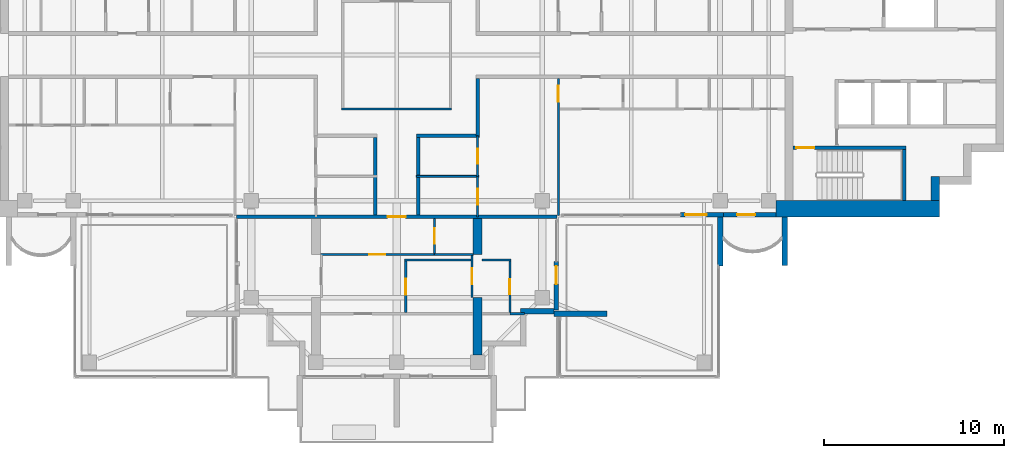
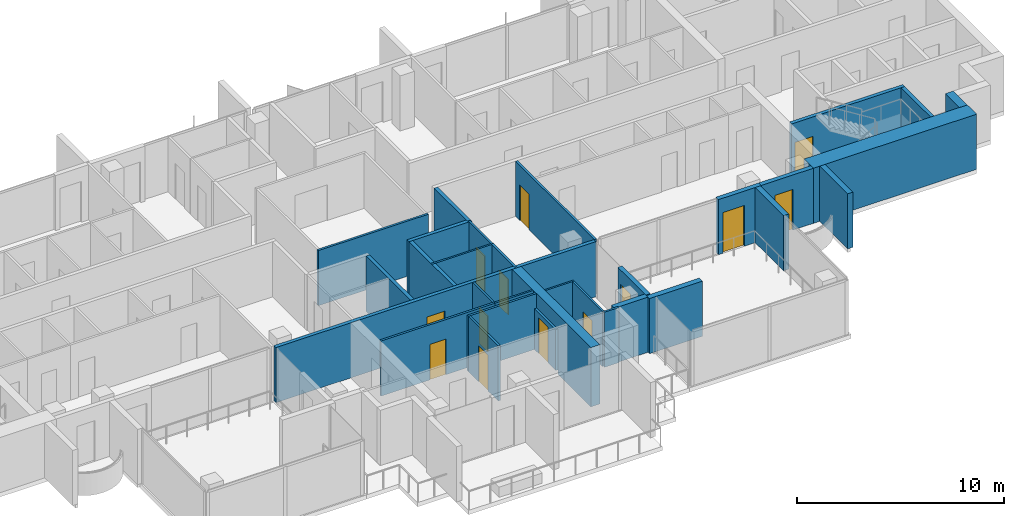
# One storey, part 9 of 16: 31 walls, 13 doors, 13 openings.
"""IFC4 building model written with IfcOpenShell, lengths in metres."""

from ifc_helpers import new_model, si_unit, direction, frame, frame_2d, origin, place, context, subcontext, project, spatial, polyline, rectangle, outline, extrude, material, layer, layer_set, material_profile, profile_set, type_object, element, fill, save


model = new_model("IFC4")

# Units and contexts
model_context = context("Model", 3, precision=1e-05, world=origin(), true_north=direction((0.0, 1.0)))
body_context = subcontext(model_context, "Body", "Model", "MODEL_VIEW")
ifc_project = project(units=[si_unit("LENGTHUNIT", "METRE"), si_unit("AREAUNIT", "SQUARE_METRE"), si_unit("VOLUMEUNIT", "CUBIC_METRE"), si_unit("PLANEANGLEUNIT", "RADIAN"), si_unit("MASSUNIT", "GRAM", prefix="KILO")], contexts=[model_context])

# Site, building, storey
site_placement = place(None, origin())
site = spatial("IfcSite", under=ifc_project, at=site_placement, CompositionType="ELEMENT")
building_placement = place(site_placement, origin())
building = spatial("IfcBuilding", under=site, at=building_placement, Name="Perihelion Cross Residences", CompositionType="ELEMENT")
storey_placement = place(building_placement, frame((0.0, 0.0, 232.5)))
storey = spatial("IfcBuildingStorey", under=building, at=storey_placement, Name="L58", CompositionType="ELEMENT", Elevation=232.5)

# Walls
ifc_material_1 = material(Name="Plasterboard partition")
ifc_layer_1 = layer(ifc_material_1, 0.199951171875)
ifc_layer_set_1 = layer_set([ifc_layer_1], Name="Apartment separation wall 200")
wall_type_1 = type_object("IfcWallType", Name="Apartment separation wall 200", PredefinedType="PARTITIONING", material=ifc_layer_set_1)
wall_1_placement = place(storey_placement, frame((4.5, -1.300048828125, 0.0), z_axis=(0.0, 0.0, 1.0), x_axis=(0.0, -1.0, 0.0)))
element("IfcWall", 1, at=wall_1_placement, inside=storey, type_object=wall_type_1, Name="Partition L58 W010", PredefinedType="PARTITIONING", context=body_context, shape_type="SweptSolid", body=[
    extrude(rectangle(XDim=3.199951171875, YDim=0.199951171875, at=frame_2d((1.60009765625, 0.0))), origin(), (0.0, 0.0, 1.0), 3.25),
])
wall_2_placement = place(storey_placement, frame((4.60009765625, -4.5, 0.0), z_axis=(0.0, 0.0, 1.0), x_axis=(-1.0, 0.0, 0.0)))
element("IfcWall", 2, at=wall_2_placement, inside=storey, type_object=wall_type_1, Name="Partition L58 W011", PredefinedType="PARTITIONING", context=body_context, shape_type="SweptSolid", body=[
    extrude(rectangle(XDim=3.5, YDim=0.199951171875, at=frame_2d((1.75, 0.0))), origin(), (0.0, 0.0, 1.0), 3.25),
])
for number, where, z_axis, x_axis, name in (
    (3, (1.199951171875, -4.60009765625, 0.0), (0.0, 0.0, 1.0), (0.0, -1.0, 0.0), "Partition L58 W012"),
    (4, (-1.199951171875, -8.89990234375, 0.0), (0.0, 0.0, 1.0), (0.0, 1.0, 0.0), "Partition L58 W019"),
):
    element("IfcWall", number, at=place(storey_placement, frame(where, z_axis=z_axis, x_axis=x_axis)), inside=storey, type_object=wall_type_1, Name=name, PredefinedType="PARTITIONING", context=body_context, shape_type="SweptSolid", body=[
        extrude(rectangle(XDim=4.2998046875, YDim=0.199951171875, at=frame_2d((2.14990234375, 0.0))), origin(), (0.0, 0.0, 1.0), 3.25),
    ])

# Wall, opening, door
wall_3_placement = place(storey_placement, frame((8.919921875, -9.0, 0.0), z_axis=(0.0, 0.0, 1.0), x_axis=(-1.0, 0.0, 0.0)))
wall_3 = element("IfcWall", 5, at=wall_3_placement, inside=storey, type_object=wall_type_1, Name="Partition L58 W021", PredefinedType="PARTITIONING", context=body_context, shape_type="SweptSolid", body=[
    extrude(rectangle(XDim=17.83984375, YDim=0.199951171875, at=frame_2d((8.919921875, 0.0))), origin(), (0.0, 0.0, 1.0), 3.25),
])
opening_1_placement = place(wall_3_placement, frame((8.419921875, 0.0, 0.0)))
opening_1 = element("IfcOpeningElement", 6, at=opening_1_placement, cuts=wall_3, Name="Opening L58.A33", PredefinedType="OPENING", context=body_context, shape_type="SweptSolid", body=[
    extrude(rectangle(XDim=1.0, YDim=2.10009765625, at=frame_2d((0.5, 1.050048828125))), frame((0.0, 0.10986328125, 0.0), z_axis=(0.0, -1.0, 0.0), x_axis=(1.0, 0.0, 0.0)), (0.0, 0.0, 1.0), 0.219970703125),
])
ifc_material_2 = material(Name="Timber door leaf", Category="wood")
door_type_1 = type_object("IfcDoorType", Name="Flat entrance door 1000 x 2100", OperationType="SINGLE_SWING_LEFT", PredefinedType="DOOR", material=ifc_material_2)
door_1_placement = place(opening_1_placement, origin())
door_1 = element("IfcDoor", 7, at=door_1_placement, inside=storey, type_object=door_type_1, Name="Door L58.A33", OperationType="SINGLE_SWING_LEFT", OverallHeight=2.10009765625, OverallWidth=1.0, PredefinedType="DOOR", context=body_context, shape_type="SweptSolid", body=[
    extrude(rectangle(XDim=1.0, YDim=2.10009765625, at=frame_2d((0.5, 1.050048828125))), frame((0.0, 0.02490234375, 0.0), z_axis=(0.0, -1.0, 0.0), x_axis=(1.0, 0.0, 0.0)), (0.0, 0.0, 1.0), 0.050048828125),
])
fill(opening_1, door_1)

ifc_material_3 = material(Name="Concrete C30/37, bronze-clad", Category="concrete")
ifc_layer_2 = layer(ifc_material_3, 0.25)
ifc_layer_set_2 = layer_set([ifc_layer_2], Name="Bronze-clad pier wall 250")
wall_type_2 = type_object("IfcWallType", Name="Bronze-clad pier wall 250", PredefinedType="SOLIDWALL", material=ifc_layer_set_2)
wall_4_placement = place(storey_placement, frame((8.875, -14.199951171875, 0.0), z_axis=(0.0, 0.0, 1.0), x_axis=(0.0, 1.0, 0.0)))
wall_4 = element("IfcWall", 8, at=wall_4_placement, inside=storey, type_object=wall_type_2, Name="Wall FW1 L58 south side east bay 1 pier", PredefinedType="SOLIDWALL", context=body_context, shape_type="SweptSolid", body=[
    extrude(rectangle(XDim=2.699951171875, YDim=0.25, at=frame_2d((1.35009765625, 0.0))), origin(), (0.0, 0.0, 1.0), 3.25),
])
opening_2_placement = place(wall_4_placement, frame((1.449951171875, 0.0, 0.0)))
opening_2 = element("IfcOpeningElement", 9, at=opening_2_placement, cuts=wall_4, Name="Opening L58.E12", PredefinedType="OPENING", context=body_context, shape_type="SweptSolid", body=[
    extrude(rectangle(XDim=1.0, YDim=2.39990234375, at=frame_2d((0.5, 1.199951171875))), frame((0.0, 0.135009765625, 0.0), z_axis=(0.0, -1.0, 0.0), x_axis=(1.0, 0.0, 0.0)), (0.0, 0.0, 1.0), 0.27001953125),
])
ifc_material_4 = material(Name="Bronze anodised aluminium, glazed", Category="aluminium")
door_type_2 = type_object("IfcDoorType", Name="Balcony door 1000 x 2400", OperationType="NOTDEFINED", PredefinedType="DOOR", material=ifc_material_4)
door_2_placement = place(opening_2_placement, origin())
door_2 = element("IfcDoor", 10, at=door_2_placement, inside=storey, type_object=door_type_2, Name="Door L58.E12 south side east bay 1", OperationType="SINGLE_SWING_RIGHT", OverallHeight=2.39990234375, OverallWidth=1.0, PredefinedType="DOOR", context=body_context, shape_type="SweptSolid", body=[
    extrude(rectangle(XDim=1.0, YDim=2.39990234375, at=frame_2d((0.5, 1.199951171875))), frame((0.0, 0.02490234375, 0.0), z_axis=(0.0, -1.0, 0.0), x_axis=(1.0, 0.0, 0.0)), (0.0, 0.0, 1.0), 0.050048828125),
])
fill(opening_2, door_2)

wall_5_placement = place(storey_placement, frame((15.800048828125, -8.875, 0.0), z_axis=(0.0, 0.0, 1.0), x_axis=(1.0, 0.0, 0.0)))
wall_5 = element("IfcWall", 11, at=wall_5_placement, inside=storey, type_object=wall_type_2, Name="Wall FW1 L58 east side south bay 1 pier", PredefinedType="SOLIDWALL", context=body_context, shape_type="SweptSolid", body=[
    extrude(rectangle(XDim=2.39990234375, YDim=0.25, at=frame_2d((1.199951171875, 0.0))), origin(), (0.0, 0.0, 1.0), 3.25),
])
opening_3_placement = place(wall_5_placement, frame((0.25, 0.0, 0.0)))
opening_3 = element("IfcOpeningElement", 12, at=opening_3_placement, cuts=wall_5, Name="Opening L58.E13", PredefinedType="OPENING", context=body_context, shape_type="SweptSolid", body=[
    extrude(rectangle(XDim=1.199951171875, YDim=2.39990234375, at=frame_2d((0.60009765625, 1.199951171875))), frame((0.0, 0.135009765625, 0.0), z_axis=(0.0, -1.0, 0.0), x_axis=(1.0, 0.0, 0.0)), (0.0, 0.0, 1.0), 0.27001953125),
])
ifc_material_5 = material(Name="Bronze anodised aluminium, glazed", Category="aluminium")
door_type_3 = type_object("IfcDoorType", Name="Balcony door 1200 x 2400", OperationType="NOTDEFINED", PredefinedType="DOOR", material=ifc_material_5)
door_3_placement = place(opening_3_placement, origin())
door_3 = element("IfcDoor", 13, at=door_3_placement, inside=storey, type_object=door_type_3, Name="Door L58.E13 east side south bay 1", OperationType="SINGLE_SWING_LEFT", OverallHeight=2.39990234375, OverallWidth=1.199951171875, PredefinedType="DOOR", context=body_context, shape_type="SweptSolid", body=[
    extrude(rectangle(XDim=1.199951171875, YDim=2.39990234375, at=frame_2d((0.60009765625, 1.199951171875))), frame((0.0, 0.02490234375, 0.0), z_axis=(0.0, -1.0, 0.0), x_axis=(1.0, 0.0, 0.0)), (0.0, 0.0, 1.0), 0.050048828125),
])
fill(opening_3, door_3)

wall_6_placement = place(storey_placement, frame((18.199951171875, -8.875, 0.0), z_axis=(0.0, 0.0, 1.0), x_axis=(1.0, 0.0, 0.0)))
wall_6 = element("IfcWall", 14, at=wall_6_placement, inside=storey, type_object=wall_type_2, Name="Wall FW1 L58 east side south bay 2 pier", PredefinedType="SOLIDWALL", context=body_context, shape_type="SweptSolid", body=[
    extrude(rectangle(XDim=2.900146484375, YDim=0.25, at=frame_2d((1.4501953125, 0.0))), origin(), (0.0, 0.0, 1.0), 3.25),
])
opening_4_placement = place(wall_6_placement, frame((0.75, 0.0, 0.0)))
opening_4 = element("IfcOpeningElement", 15, at=opening_4_placement, cuts=wall_6, Name="Opening L58.E14", PredefinedType="OPENING", context=body_context, shape_type="SweptSolid", body=[
    extrude(rectangle(XDim=1.0, YDim=2.39990234375, at=frame_2d((0.5, 1.199951171875))), frame((0.0, 0.135009765625, 0.0), z_axis=(0.0, -1.0, 0.0), x_axis=(1.0, 0.0, 0.0)), (0.0, 0.0, 1.0), 0.27001953125),
])
door_4_placement = place(opening_4_placement, origin())
door_4 = element("IfcDoor", 16, at=door_4_placement, inside=storey, type_object=door_type_2, Name="Door L58.E14 east side south bay 2", OperationType="SINGLE_SWING_RIGHT", OverallHeight=2.39990234375, OverallWidth=1.0, PredefinedType="DOOR", context=body_context, shape_type="SweptSolid", body=[
    extrude(rectangle(XDim=1.0, YDim=2.39990234375, at=frame_2d((0.5, 1.199951171875))), frame((0.0, 0.02490234375, 0.0), z_axis=(0.0, -1.0, 0.0), x_axis=(1.0, 0.0, 0.0)), (0.0, 0.0, 1.0), 0.050048828125),
])
fill(opening_4, door_4)

# Walls
ifc_material_6 = material(Name="Concrete C30/37, bronze-clad", Category="concrete")
ifc_layer_3 = layer(ifc_material_6, 0.300048828125)
ifc_layer_set_3 = layer_set([ifc_layer_3], Name="Bronze-clad serration wall 300")
wall_type_3 = type_object("IfcWallType", Name="Bronze-clad serration wall 300", PredefinedType="SOLIDWALL", material=ifc_layer_set_3)
wall_7_placement = place(storey_placement, frame((6.89990234375, -14.25, 0.0), z_axis=(0.0, 0.0, 1.0), x_axis=(1.0, 0.0, 0.0)))
element("IfcWall", 17, at=wall_7_placement, inside=storey, type_object=wall_type_3, Name="Wall SR1 L58 south corner south-east 4", PredefinedType="SOLIDWALL", context=body_context, shape_type="SweptSolid", body=[
    extrude(rectangle(XDim=1.85009765625, YDim=0.300048828125, at=frame_2d((0.925048828125, 0.0))), origin(), (0.0, 0.0, 1.0), 3.25),
])
ifc_material_7 = material(Name="Concrete C60/75", Category="concrete")
ifc_layer_4 = layer(ifc_material_7, 0.449951171875)
ifc_layer_set_4 = layer_set([ifc_layer_4], Name="Core wall, outer 450")
wall_type_4 = type_object("IfcWallType", Name="Core wall, outer 450", PredefinedType="SHEAR", material=ifc_layer_set_4)
wall_8_placement = place(storey_placement, frame((29.97509765625, -8.10009765625, 0.0), z_axis=(0.0, 0.0, 1.0), x_axis=(0.0, 1.0, 0.0)))
element("IfcWall", 18, at=wall_8_placement, inside=storey, type_object=wall_type_4, Name="East core core wall, outer", PredefinedType="SHEAR", context=body_context, shape_type="SweptSolid", body=[
    extrude(rectangle(XDim=1.35009765625, YDim=0.449951171875, at=frame_2d((0.675048828125, 0.0))), origin(), (0.0, 0.0, 1.0), 3.25),
])
ifc_material_8 = material(Name="Concrete C60/75", Category="concrete")
ifc_layer_5 = layer(ifc_material_8, 0.89990234375)
ifc_layer_set_5 = layer_set([ifc_layer_5], Name="Core wall, outer 900")
wall_type_5 = type_object("IfcWallType", Name="Core wall, outer 900", PredefinedType="SHEAR", material=ifc_layer_set_5)
wall_9_placement = place(storey_placement, frame((21.10009765625, -8.550048828125, 0.0), z_axis=(0.0, 0.0, 1.0), x_axis=(1.0, 0.0, 0.0)))
element("IfcWall", 19, at=wall_9_placement, inside=storey, type_object=wall_type_5, Name="East core core wall, outer", PredefinedType="SHEAR", context=body_context, shape_type="SweptSolid", body=[
    extrude(rectangle(XDim=9.099853515625, YDim=0.89990234375, at=frame_2d((4.5498046875, 0.0))), origin(), (0.0, 0.0, 1.0), 3.25),
])

# Wall, opening, door
ifc_material_9 = material(Name="Plasterboard partition")
ifc_layer_6 = layer(ifc_material_9, 0.1201171875)
ifc_layer_set_6 = layer_set([ifc_layer_6], Name="Infill panel 120")
wall_type_6 = type_object("IfcWallType", Name="Infill panel 120", PredefinedType="PARTITIONING", material=ifc_layer_set_6)
wall_10_placement = place(storey_placement, frame((4.18994140625, -11.10009765625, 0.0), z_axis=(0.0, 0.0, 1.0), x_axis=(0.0, -1.0, 0.0)))
wall_10 = element("IfcWall", 20, at=wall_10_placement, inside=storey, type_object=wall_type_6, Name="Partition L58 WI01", PredefinedType="PARTITIONING", context=body_context, shape_type="SweptSolid", body=[
    extrude(rectangle(XDim=2.39990234375, YDim=0.1201171875, at=frame_2d((1.199951171875, 0.0))), origin(), (0.0, 0.0, 1.0), 2.39990234375),
])
opening_5_placement = place(wall_10_placement, frame((0.75, 0.0, 0.0)))
opening_5 = element("IfcOpeningElement", 21, at=opening_5_placement, cuts=wall_10, Name="Opening L58.A43", PredefinedType="OPENING", context=body_context, shape_type="SweptSolid", body=[
    extrude(rectangle(XDim=0.89990234375, YDim=2.10009765625, at=frame_2d((0.449951171875, 1.050048828125))), frame((0.0, 0.070068359375, 0.0), z_axis=(0.0, -1.0, 0.0), x_axis=(1.0, 0.0, 0.0)), (0.0, 0.0, 1.0), 0.14013671875),
])
ifc_material_10 = material(Name="Timber door leaf", Category="wood")
door_type_4 = type_object("IfcDoorType", Name="Interior room door 900 x 2100", OperationType="SINGLE_SWING_LEFT", PredefinedType="DOOR", material=ifc_material_10)
door_5_placement = place(opening_5_placement, origin())
door_5 = element("IfcDoor", 22, at=door_5_placement, inside=storey, type_object=door_type_4, Name="Door L58.A43", OperationType="SINGLE_SWING_RIGHT", OverallHeight=2.10009765625, OverallWidth=0.89990234375, PredefinedType="DOOR", context=body_context, shape_type="SweptSolid", body=[
    extrude(rectangle(XDim=0.89990234375, YDim=2.10009765625, at=frame_2d((0.449951171875, 1.050048828125))), frame((0.0, 0.02490234375, 0.0), z_axis=(0.0, -1.0, 0.0), x_axis=(1.0, 0.0, 0.0)), (0.0, 0.0, 1.0), 0.050048828125),
])
fill(opening_5, door_5)

# Wall
ifc_material_11 = material(Name="Plasterboard partition")
ifc_layer_7 = layer(ifc_material_11, 0.1201171875)
ifc_layer_set_7 = layer_set([ifc_layer_7], Name="Partition wall 120")
wall_type_7 = type_object("IfcWallType", Name="Partition wall 120", PredefinedType="PARTITIONING", material=ifc_layer_set_7)
wall_11_placement = place(storey_placement, frame((-3.06005859375, -3.0, 0.0), z_axis=(0.0, 0.0, 1.0), x_axis=(1.0, 0.0, 0.0)))
element("IfcWall", 23, at=wall_11_placement, inside=storey, type_object=wall_type_7, Name="Partition L58 W001", PredefinedType="PARTITIONING", context=body_context, shape_type="SweptSolid", body=[
    extrude(rectangle(XDim=6.1201171875, YDim=0.1201171875, at=frame_2d((3.06005859375, 0.0))), origin(), (0.0, 0.0, 1.0), 3.25),
])

# Wall, opening, door
wall_12_placement = place(storey_placement, frame((9.0, -8.919921875, 0.0), z_axis=(0.0, 0.0, 1.0), x_axis=(0.0, 1.0, 0.0)))
wall_12 = element("IfcWall", 24, at=wall_12_placement, inside=storey, type_object=wall_type_7, Name="Partition L58 W034", PredefinedType="PARTITIONING", context=body_context, shape_type="SweptSolid", body=[
    extrude(rectangle(XDim=7.619873046875, YDim=0.1201171875, at=frame_2d((3.81005859375, 0.0))), origin(), (0.0, 0.0, 1.0), 3.25),
])
opening_6_placement = place(wall_12_placement, frame((6.320068359375, 0.0, 0.0)))
opening_6 = element("IfcOpeningElement", 25, at=opening_6_placement, cuts=wall_12, Name="Opening L58.A12", PredefinedType="OPENING", context=body_context, shape_type="SweptSolid", body=[
    extrude(rectangle(XDim=0.89990234375, YDim=2.10009765625, at=frame_2d((0.449951171875, 1.050048828125))), frame((0.0, 0.070068359375, 0.0), z_axis=(0.0, -1.0, 0.0), x_axis=(1.0, 0.0, 0.0)), (0.0, 0.0, 1.0), 0.14013671875),
])
door_6_placement = place(opening_6_placement, origin())
door_6 = element("IfcDoor", 26, at=door_6_placement, inside=storey, type_object=door_type_4, Name="Door L58.A12", OperationType="SINGLE_SWING_RIGHT", OverallHeight=2.10009765625, OverallWidth=0.89990234375, PredefinedType="DOOR", context=body_context, shape_type="SweptSolid", body=[
    extrude(rectangle(XDim=0.89990234375, YDim=2.10009765625, at=frame_2d((0.449951171875, 1.050048828125))), frame((0.0, 0.02490234375, 0.0), z_axis=(0.0, -1.0, 0.0), x_axis=(1.0, 0.0, 0.0)), (0.0, 0.0, 1.0), 0.050048828125),
])
fill(opening_6, door_6)

wall_13_placement = place(storey_placement, frame((4.5, -9.0, 0.0), z_axis=(0.0, 0.0, 1.0), x_axis=(0.0, 1.0, 0.0)))
wall_13 = element("IfcWall", 27, at=wall_13_placement, inside=storey, type_object=wall_type_7, Name="Partition L58 W041", PredefinedType="PARTITIONING", context=body_context, shape_type="SweptSolid", body=[
    extrude(rectangle(XDim=2.25, YDim=0.1201171875, at=frame_2d((1.125, 0.0))), origin(), (0.0, 0.0, 1.0), 3.25),
])
opening_7_placement = place(wall_13_placement, frame((0.675048828125, 0.0, 0.0)))
opening_7 = element("IfcOpeningElement", 28, at=opening_7_placement, cuts=wall_13, Name="Opening L58.A15", PredefinedType="OPENING", context=body_context, shape_type="SweptSolid", body=[
    extrude(rectangle(XDim=0.89990234375, YDim=2.10009765625, at=frame_2d((0.449951171875, 1.050048828125))), frame((0.0, 0.070068359375, 0.0), z_axis=(0.0, -1.0, 0.0), x_axis=(1.0, 0.0, 0.0)), (0.0, 0.0, 1.0), 0.14013671875),
])
door_7_placement = place(opening_7_placement, origin())
door_7 = element("IfcDoor", 29, at=door_7_placement, inside=storey, type_object=door_type_4, Name="Door L58.A15", OperationType="SINGLE_SWING_RIGHT", OverallHeight=2.10009765625, OverallWidth=0.89990234375, PredefinedType="DOOR", context=body_context, shape_type="SweptSolid", body=[
    extrude(rectangle(XDim=0.89990234375, YDim=2.10009765625, at=frame_2d((0.449951171875, 1.050048828125))), frame((0.0, 0.02490234375, 0.0), z_axis=(0.0, -1.0, 0.0), x_axis=(1.0, 0.0, 0.0)), (0.0, 0.0, 1.0), 0.050048828125),
])
fill(opening_7, door_7)

wall_14_placement = place(storey_placement, frame((2.10009765625, -11.10009765625, 0.0), z_axis=(0.0, 0.0, 1.0), x_axis=(-1.0, 0.0, 0.0)))
wall_14 = element("IfcWall", 30, at=wall_14_placement, inside=storey, type_object=wall_type_7, Name="Partition L58 W066", PredefinedType="PARTITIONING", context=body_context, shape_type="SweptSolid", body=[
    extrude(rectangle(XDim=6.35009765625, YDim=0.1201171875, at=frame_2d((3.175048828125, 0.0))), origin(), (0.0, 0.0, 1.0), 3.25),
])
opening_8_placement = place(wall_14_placement, frame((2.72509765625, 0.0, 0.0)))
opening_8 = element("IfcOpeningElement", 31, at=opening_8_placement, cuts=wall_14, Name="Opening L58.A35", PredefinedType="OPENING", context=body_context, shape_type="SweptSolid", body=[
    extrude(rectangle(XDim=0.89990234375, YDim=2.10009765625, at=frame_2d((0.449951171875, 1.050048828125))), frame((0.0, 0.070068359375, 0.0), z_axis=(0.0, -1.0, 0.0), x_axis=(1.0, 0.0, 0.0)), (0.0, 0.0, 1.0), 0.14013671875),
])
door_8_placement = place(opening_8_placement, origin())
door_8 = element("IfcDoor", 32, at=door_8_placement, inside=storey, type_object=door_type_4, Name="Door L58.A35", OperationType="SINGLE_SWING_LEFT", OverallHeight=2.10009765625, OverallWidth=0.89990234375, PredefinedType="DOOR", context=body_context, shape_type="SweptSolid", body=[
    extrude(rectangle(XDim=0.89990234375, YDim=2.10009765625, at=frame_2d((0.449951171875, 1.050048828125))), frame((0.0, 0.02490234375, 0.0), z_axis=(0.0, -1.0, 0.0), x_axis=(1.0, 0.0, 0.0)), (0.0, 0.0, 1.0), 0.050048828125),
])
fill(opening_8, door_8)

# Wall
wall_15_placement = place(storey_placement, frame((4.25, -11.39990234375, 0.0), z_axis=(0.0, 0.0, 1.0), x_axis=(-1.0, 0.0, 0.0)))
element("IfcWall", 33, at=wall_15_placement, inside=storey, type_object=wall_type_7, Name="Partition L58 W068", PredefinedType="PARTITIONING", context=body_context, shape_type="SweptSolid", body=[
    extrude(rectangle(XDim=3.81005859375, YDim=0.1201171875, at=frame_2d((1.905029296875, 0.0))), origin(), (0.0, 0.0, 1.0), 3.25),
])

# Wall, opening, door
wall_16_placement = place(storey_placement, frame((0.5, -11.4599609375, 0.0), z_axis=(0.0, 0.0, 1.0), x_axis=(0.0, -1.0, 0.0)))
wall_16 = element("IfcWall", 34, at=wall_16_placement, inside=storey, type_object=wall_type_7, Name="Partition L58 W069", PredefinedType="PARTITIONING", context=body_context, shape_type="SweptSolid", body=[
    extrude(rectangle(XDim=2.880126953125, YDim=0.1201171875, at=frame_2d((1.43994140625, 0.0))), origin(), (0.0, 0.0, 1.0), 3.25),
])
opening_9_placement = place(wall_16_placement, frame((0.989990234375, 0.0, 0.0)))
opening_9 = element("IfcOpeningElement", 35, at=opening_9_placement, cuts=wall_16, Name="Opening L58.A36", PredefinedType="OPENING", context=body_context, shape_type="SweptSolid", body=[
    extrude(rectangle(XDim=0.89990234375, YDim=2.10009765625, at=frame_2d((0.449951171875, 1.050048828125))), frame((0.0, 0.070068359375, 0.0), z_axis=(0.0, -1.0, 0.0), x_axis=(1.0, 0.0, 0.0)), (0.0, 0.0, 1.0), 0.14013671875),
])
door_9_placement = place(opening_9_placement, origin())
door_9 = element("IfcDoor", 36, at=door_9_placement, inside=storey, type_object=door_type_4, Name="Door L58.A36", OperationType="SINGLE_SWING_LEFT", OverallHeight=2.10009765625, OverallWidth=0.89990234375, PredefinedType="DOOR", context=body_context, shape_type="SweptSolid", body=[
    extrude(rectangle(XDim=0.89990234375, YDim=2.10009765625, at=frame_2d((0.449951171875, 1.050048828125))), frame((0.0, 0.02490234375, 0.0), z_axis=(0.0, -1.0, 0.0), x_axis=(1.0, 0.0, 0.0)), (0.0, 0.0, 1.0), 0.050048828125),
])
fill(opening_9, door_9)

# Walls
wall_17_placement = place(storey_placement, frame((7.1201171875, -14.39990234375, 0.0), z_axis=(0.0, 0.0, 1.0), x_axis=(-1.0, 0.0, 0.0)))
element("IfcWall", 37, at=wall_17_placement, inside=storey, type_object=wall_type_7, Name="Partition L58 W073", PredefinedType="PARTITIONING", context=body_context, shape_type="SweptSolid", body=[
    extrude(rectangle(XDim=0.820068359375, YDim=0.1201171875, at=frame_2d((0.41015625, 0.0))), origin(), (0.0, 0.0, 1.0), 3.25),
])
ifc_material_12 = material(Name="Precast concrete C50/60", Category="concrete")
ifc_layer_8 = layer(ifc_material_12, 0.300048828125)
ifc_layer_set_8 = layer_set([ifc_layer_8], Name="Precast concrete C50/60 blade wall 300")
wall_type_8 = type_object("IfcWallType", Name="Precast concrete C50/60 blade wall 300", PredefinedType="SOLIDWALL", material=ifc_layer_set_8)
wall_18_placement = place(storey_placement, frame((8.75, -14.39990234375, 0.0), z_axis=(0.0, 0.0, 1.0), x_axis=(1.0, 0.0, 0.0)))
element("IfcWall", 38, at=wall_18_placement, inside=storey, type_object=wall_type_8, Name="Wall BL1 L58 no. 15", PredefinedType="SOLIDWALL", context=body_context, shape_type="SweptSolid", body=[
    extrude(rectangle(XDim=2.949951171875, YDim=0.300048828125, at=frame_2d((1.47509765625, 0.0))), origin(), (0.0, 0.0, 1.0), 3.25),
])
wall_19_placement = place(storey_placement, frame((18.0, -9.0, 0.0), z_axis=(0.0, 0.0, 1.0), x_axis=(0.0, -1.0, 0.0)))
element("IfcWall", 39, at=wall_19_placement, inside=storey, type_object=wall_type_8, Name="Wall BL1 L58 no. 10", PredefinedType="SOLIDWALL", context=body_context, shape_type="SweptSolid", body=[
    extrude(rectangle(XDim=2.739990234375, YDim=0.300048828125, at=frame_2d((1.3701171875, 0.0))), origin(), (0.0, 0.0, 1.0), 3.25),
])
wall_20_placement = place(storey_placement, frame((21.60009765625, -9.0, 0.0), z_axis=(0.0, 0.0, 1.0), x_axis=(0.0, -1.0, 0.0)))
element("IfcWall", 40, at=wall_20_placement, inside=storey, type_object=wall_type_8, Name="Wall BL1 L58 no. 12", PredefinedType="SOLIDWALL", context=body_context, shape_type="SweptSolid", body=[
    extrude(rectangle(XDim=2.699951171875, YDim=0.300048828125, at=frame_2d((1.35009765625, 0.0))), origin(), (0.0, 0.0, 1.0), 3.25),
])

# Wall, opening, door
ifc_material_13 = material(Name="Concrete C50/60", Category="concrete")
ifc_layer_9 = layer(ifc_material_13, 0.199951171875)
ifc_layer_set_9 = layer_set([ifc_layer_9], Name="Stair wall 200")
wall_type_9 = type_object("IfcWallType", Name="Stair wall 200", PredefinedType="SOLIDWALL", material=ifc_layer_set_9)
wall_21_placement = place(storey_placement, frame((22.050048828125, -5.14990234375, 0.0), z_axis=(0.0, 0.0, 1.0), x_axis=(1.0, 0.0, 0.0)))
wall_21 = element("IfcWall", 41, at=wall_21_placement, inside=storey, type_object=wall_type_9, Name="East core stair wall", PredefinedType="SOLIDWALL", context=body_context, shape_type="SweptSolid", body=[
    extrude(rectangle(XDim=6.300048828125, YDim=0.199951171875, at=frame_2d((3.14990234375, 0.0))), origin(), (0.0, 0.0, 1.0), 3.25),
])
opening_10_placement = place(wall_21_placement, frame((0.199951171875, 0.0, 0.0)))
opening_10 = element("IfcOpeningElement", 42, at=opening_10_placement, cuts=wall_21, Name="Opening L58.C05", PredefinedType="OPENING", context=body_context, shape_type="SweptSolid", body=[
    extrude(rectangle(XDim=1.0, YDim=2.10009765625, at=frame_2d((0.5, 1.050048828125))), frame((0.0, 0.10986328125, 0.0), z_axis=(0.0, -1.0, 0.0), x_axis=(1.0, 0.0, 0.0)), (0.0, 0.0, 1.0), 0.219970703125),
])
ifc_material_14 = material(Name="Steel, powder coated", Category="steel")
door_type_5 = type_object("IfcDoorType", Name="Stair door 1000", OperationType="SINGLE_SWING_LEFT", PredefinedType="DOOR", material=ifc_material_14)
door_10_placement = place(opening_10_placement, origin())
door_10 = element("IfcDoor", 43, at=door_10_placement, inside=storey, type_object=door_type_5, Name="East core stair door", OperationType="SINGLE_SWING_LEFT", OverallHeight=2.10009765625, OverallWidth=1.0, PredefinedType="DOOR", context=body_context, shape_type="SweptSolid", body=[
    extrude(rectangle(XDim=1.0, YDim=2.10009765625, at=frame_2d((0.5, 1.050048828125))), frame((0.0, 0.02490234375, 0.0), z_axis=(0.0, -1.0, 0.0), x_axis=(1.0, 0.0, 0.0)), (0.0, 0.0, 1.0), 0.050048828125),
])
fill(opening_10, door_10)

# Walls
wall_22_placement = place(storey_placement, frame((28.25, -8.10009765625, 0.0), z_axis=(0.0, 0.0, 1.0), x_axis=(0.0, 1.0, 0.0)))
element("IfcWall", 44, at=wall_22_placement, inside=storey, type_object=wall_type_9, Name="East core stair wall", PredefinedType="SOLIDWALL", context=body_context, shape_type="SweptSolid", body=[
    extrude(rectangle(XDim=2.85009765625, YDim=0.199951171875, at=frame_2d((1.425048828125, 0.0))), origin(), (0.0, 0.0, 1.0), 3.25),
])
ifc_material_15 = material(Name="Concrete C50/60", Category="concrete")
ifc_material_profile = material_profile(ifc_material_15, outline(polyline([(0.0, 0.0), (3.199951171875, 0.0), (3.199951171875, 2.64990234375), (5.60009765625, 2.64990234375), (5.60009765625, 0.0), (7.699951171875, 0.0), (7.699951171875, 3.5), (0.0, 3.5), (0.0, 0.0)])), Name="Tip spine wall")
ifc_profile_set = profile_set([ifc_material_profile], Name="Concrete C50/60")
wall_type_10 = type_object("IfcWallType", Name="Tip spine wall 500 with 1 door openings 7700 long 3500 high concrete C50/60", PredefinedType="SHEAR", material=ifc_profile_set)
wall_23_placement = place(storey_placement, frame((4.25, -16.699951171875, -0.25), z_axis=(1.0, 0.0, 0.0), x_axis=(0.0, 1.0, 0.0)))
element("IfcWall", 45, at=wall_23_placement, inside=storey, type_object=wall_type_10, Name="Shear wall SW45 L58 south east", PredefinedType="SHEAR", context=body_context, shape_type="SweptSolid", body=[
    extrude(outline(polyline([(0.0, 0.0), (3.199951171875, 0.0), (3.199951171875, 2.64990234375), (5.60009765625, 2.64990234375), (5.60009765625, 0.0), (7.699951171875, 0.0), (7.699951171875, 3.5), (0.0, 3.5), (0.0, 0.0)])), origin(), (0.0, 0.0, 1.0), 0.5),
])

# Wall, opening, door
ifc_material_16 = material(Name="Plasterboard partition")
ifc_layer_10 = layer(ifc_material_16, 0.10009765625)
ifc_layer_set_10 = layer_set([ifc_layer_10], Name="Wet room wall 100")
wall_type_11 = type_object("IfcWallType", Name="Wet room wall 100", PredefinedType="PARTITIONING", material=ifc_layer_set_10)
wall_24_placement = place(storey_placement, frame((4.5, -6.75, 0.0), z_axis=(0.0, 0.0, 1.0), x_axis=(0.0, 1.0, 0.0)))
wall_24 = element("IfcWall", 46, at=wall_24_placement, inside=storey, type_object=wall_type_11, Name="Partition L58 W040", PredefinedType="PARTITIONING", context=body_context, shape_type="SweptSolid", body=[
    extrude(rectangle(XDim=2.25, YDim=0.10009765625, at=frame_2d((1.125, 0.0))), origin(), (0.0, 0.0, 1.0), 3.25),
])
opening_11_placement = place(wall_24_placement, frame((0.699951171875, 0.0, 0.0)))
opening_11 = element("IfcOpeningElement", 47, at=opening_11_placement, cuts=wall_24, Name="Opening L58.A11", PredefinedType="OPENING", context=body_context, shape_type="SweptSolid", body=[
    extrude(rectangle(XDim=0.85009765625, YDim=2.10009765625, at=frame_2d((0.425048828125, 1.050048828125))), frame((0.0, 0.06005859375, 0.0), z_axis=(0.0, -1.0, 0.0), x_axis=(1.0, 0.0, 0.0)), (0.0, 0.0, 1.0), 0.1201171875),
])
ifc_material_17 = material(Name="Timber door leaf", Category="wood")
door_type_6 = type_object("IfcDoorType", Name="Interior bathroom door 850 x 2100", OperationType="SINGLE_SWING_LEFT", PredefinedType="DOOR", material=ifc_material_17)
door_11_placement = place(opening_11_placement, origin())
door_11 = element("IfcDoor", 48, at=door_11_placement, inside=storey, type_object=door_type_6, Name="Door L58.A11", OperationType="SINGLE_SWING_LEFT", OverallHeight=2.10009765625, OverallWidth=0.85009765625, PredefinedType="DOOR", context=body_context, shape_type="SweptSolid", body=[
    extrude(rectangle(XDim=0.85009765625, YDim=2.10009765625, at=frame_2d((0.425048828125, 1.050048828125))), frame((0.0, 0.02490234375, 0.0), z_axis=(0.0, -1.0, 0.0), x_axis=(1.0, 0.0, 0.0)), (0.0, 0.0, 1.0), 0.050048828125),
])
fill(opening_11, door_11)

# Wall
wall_25_placement = place(storey_placement, frame((4.56005859375, -6.75, 0.0), z_axis=(0.0, 0.0, 1.0), x_axis=(-1.0, 0.0, 0.0)))
element("IfcWall", 49, at=wall_25_placement, inside=storey, type_object=wall_type_11, Name="Partition L58 W042", PredefinedType="PARTITIONING", context=body_context, shape_type="SweptSolid", body=[
    extrude(rectangle(XDim=3.4599609375, YDim=0.10009765625, at=frame_2d((1.72998046875, 0.0))), origin(), (0.0, 0.0, 1.0), 3.25),
])

# Wall, opening, door
wall_26_placement = place(storey_placement, frame((2.10009765625, -9.10009765625, 0.0), z_axis=(0.0, 0.0, 1.0), x_axis=(0.0, -1.0, 0.0)))
wall_26 = element("IfcWall", 50, at=wall_26_placement, inside=storey, type_object=wall_type_11, Name="Partition L58 W065", PredefinedType="PARTITIONING", context=body_context, shape_type="SweptSolid", body=[
    extrude(rectangle(XDim=1.93994140625, YDim=0.10009765625, at=frame_2d((0.969970703125, 0.0))), origin(), (0.0, 0.0, 1.0), 3.25),
])
opening_12_placement = place(wall_26_placement, frame((0.544921875, 0.0, 0.0)))
opening_12 = element("IfcOpeningElement", 51, at=opening_12_placement, cuts=wall_26, Name="Opening L58.A34", PredefinedType="OPENING", context=body_context, shape_type="SweptSolid", body=[
    extrude(rectangle(XDim=0.85009765625, YDim=2.10009765625, at=frame_2d((0.425048828125, 1.050048828125))), frame((0.0, 0.06005859375, 0.0), z_axis=(0.0, -1.0, 0.0), x_axis=(1.0, 0.0, 0.0)), (0.0, 0.0, 1.0), 0.1201171875),
])
door_12_placement = place(opening_12_placement, origin())
door_12 = element("IfcDoor", 52, at=door_12_placement, inside=storey, type_object=door_type_6, Name="Door L58.A34", OperationType="SINGLE_SWING_RIGHT", OverallHeight=2.10009765625, OverallWidth=0.85009765625, PredefinedType="DOOR", context=body_context, shape_type="SweptSolid", body=[
    extrude(rectangle(XDim=0.85009765625, YDim=2.10009765625, at=frame_2d((0.425048828125, 1.050048828125))), frame((0.0, 0.02490234375, 0.0), z_axis=(0.0, -1.0, 0.0), x_axis=(1.0, 0.0, 0.0)), (0.0, 0.0, 1.0), 0.050048828125),
])
fill(opening_12, door_12)

# Wall
wall_27_placement = place(storey_placement, frame((4.25, -11.10009765625, 0.0), z_axis=(0.0, 0.0, 1.0), x_axis=(-1.0, 0.0, 0.0)))
element("IfcWall", 53, at=wall_27_placement, inside=storey, type_object=wall_type_11, Name="Partition L58 W067", PredefinedType="PARTITIONING", context=body_context, shape_type="SweptSolid", body=[
    extrude(rectangle(XDim=2.14990234375, YDim=0.10009765625, at=frame_2d((1.074951171875, 0.0))), origin(), (0.0, 0.0, 1.0), 3.25),
])

# Wall, opening, door
wall_28_placement = place(storey_placement, frame((6.300048828125, -14.340087890625, 0.0), z_axis=(0.0, 0.0, 1.0), x_axis=(0.0, 1.0, 0.0)))
wall_28 = element("IfcWall", 54, at=wall_28_placement, inside=storey, type_object=wall_type_11, Name="Partition L58 W071", PredefinedType="PARTITIONING", context=body_context, shape_type="SweptSolid", body=[
    extrude(rectangle(XDim=2.89013671875, YDim=0.10009765625, at=frame_2d((1.445068359375, 0.0))), origin(), (0.0, 0.0, 1.0), 3.25),
])
opening_13_placement = place(wall_28_placement, frame((1.02001953125, 0.0, 0.0)))
opening_13 = element("IfcOpeningElement", 55, at=opening_13_placement, cuts=wall_28, Name="Opening L58.A38", PredefinedType="OPENING", context=body_context, shape_type="SweptSolid", body=[
    extrude(rectangle(XDim=0.85009765625, YDim=2.10009765625, at=frame_2d((0.425048828125, 1.050048828125))), frame((0.0, 0.06005859375, 0.0), z_axis=(0.0, -1.0, 0.0), x_axis=(1.0, 0.0, 0.0)), (0.0, 0.0, 1.0), 0.1201171875),
])
door_13_placement = place(opening_13_placement, origin())
door_13 = element("IfcDoor", 56, at=door_13_placement, inside=storey, type_object=door_type_6, Name="Door L58.A38", OperationType="SINGLE_SWING_RIGHT", OverallHeight=2.10009765625, OverallWidth=0.85009765625, PredefinedType="DOOR", context=body_context, shape_type="SweptSolid", body=[
    extrude(rectangle(XDim=0.85009765625, YDim=2.10009765625, at=frame_2d((0.425048828125, 1.050048828125))), frame((0.0, 0.02490234375, 0.0), z_axis=(0.0, -1.0, 0.0), x_axis=(1.0, 0.0, 0.0)), (0.0, 0.0, 1.0), 0.050048828125),
])
fill(opening_13, door_13)

# Wall
wall_29_placement = place(storey_placement, frame((6.35009765625, -11.39990234375, 0.0), z_axis=(0.0, 0.0, 1.0), x_axis=(-1.0, 0.0, 0.0)))
element("IfcWall", 57, at=wall_29_placement, inside=storey, type_object=wall_type_11, Name="Partition L58 W072", PredefinedType="PARTITIONING", context=body_context, shape_type="SweptSolid", body=[
    extrude(rectangle(XDim=1.60009765625, YDim=0.10009765625, at=frame_2d((0.800048828125, 0.0))), origin(), (0.0, 0.0, 1.0), 3.25),
])

save(model, "model.ifc")
